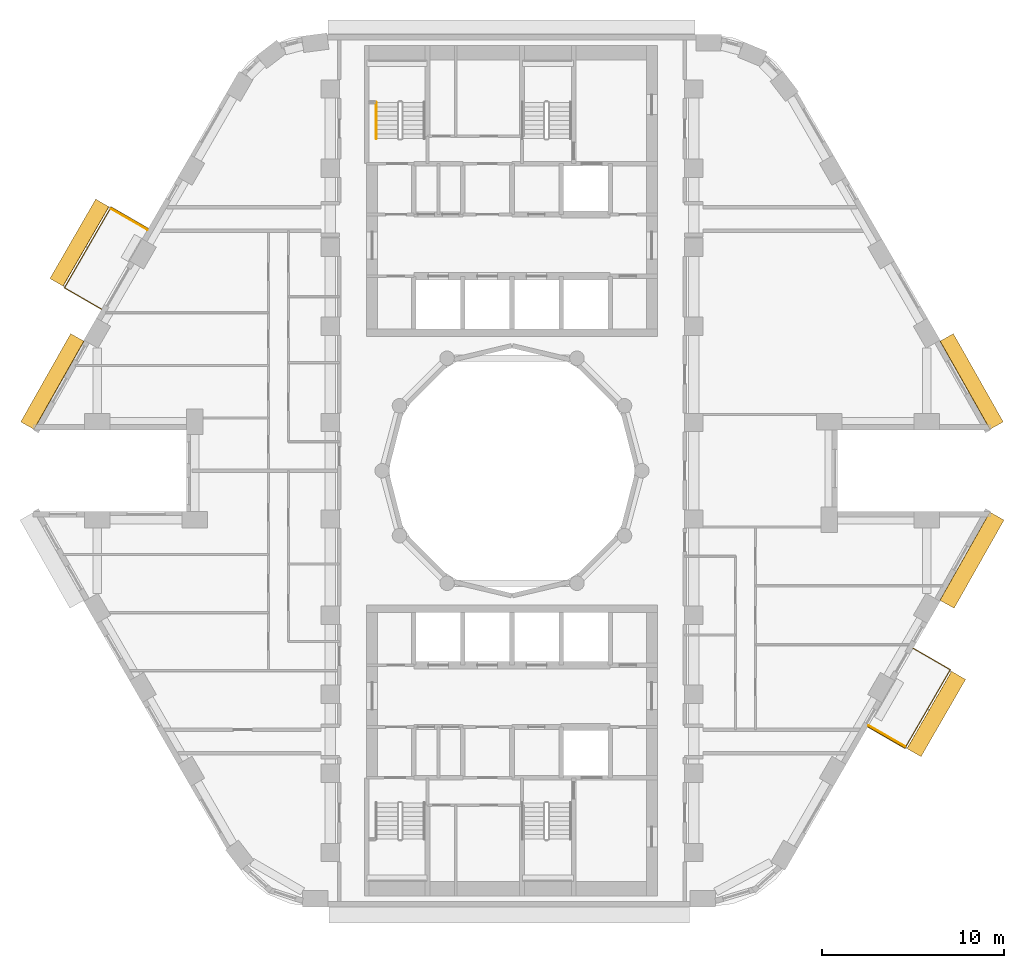
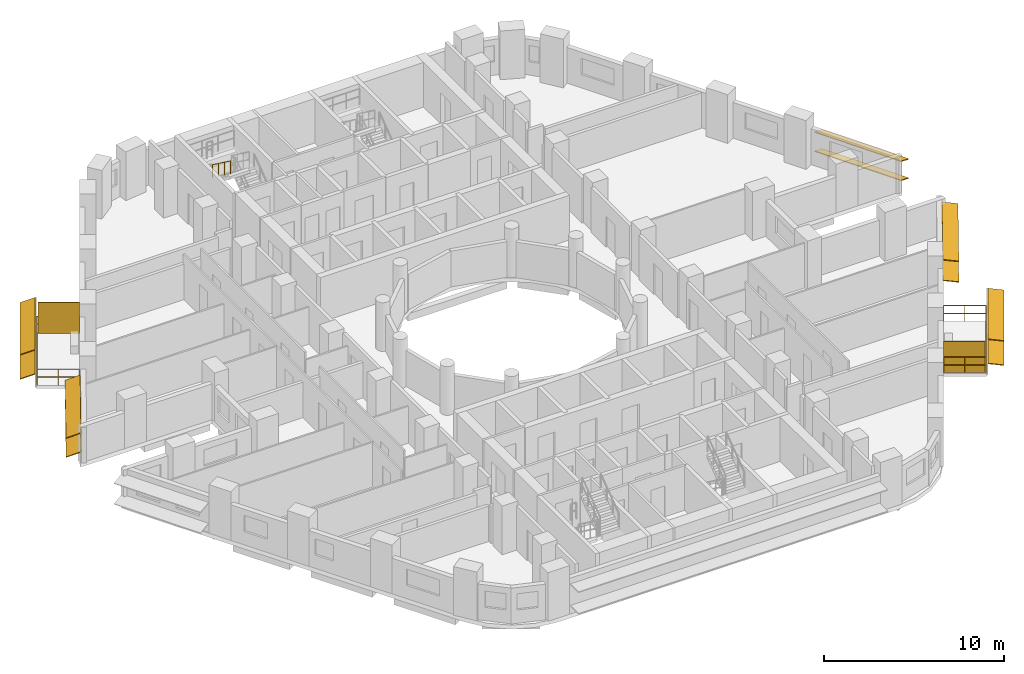
# One storey, part 13 of 14: 12 shading devices, 3 railings.
"""IFC4 building model written with IfcOpenShell, lengths in metres."""

from ifc_helpers import new_model, si_unit, direction, frame, origin, origin_2d, place, context, subcontext, project, spatial, rectangle, circle, extrude, material, layer, layer_set, material_profile, profile_set, type_object, element, save


model = new_model("IFC4")

# Units and contexts
model_context = context("Model", 3, precision=1e-05, world=origin(), true_north=direction((0.0, 1.0)))
body_context = subcontext(model_context, "Body", "Model", "MODEL_VIEW")
ifc_project = project(units=[si_unit("LENGTHUNIT", "METRE"), si_unit("AREAUNIT", "SQUARE_METRE"), si_unit("VOLUMEUNIT", "CUBIC_METRE"), si_unit("PLANEANGLEUNIT", "RADIAN"), si_unit("MASSUNIT", "GRAM", prefix="KILO")], contexts=[model_context])

# Site, building, storey
site_placement = place(None, origin())
site = spatial("IfcSite", under=ifc_project, at=site_placement, CompositionType="ELEMENT")
building_placement = place(site_placement, origin())
building = spatial("IfcBuilding", under=site, at=building_placement, Name="Nakaniwa Court", CompositionType="ELEMENT")
storey_placement = place(building_placement, frame((0.0, 0.0, 107.39990234375)))
storey = spatial("IfcBuildingStorey", under=building, at=storey_placement, Name="L28", CompositionType="ELEMENT", Elevation=107.39990234375)

# Railings
ifc_material_1 = material(Name="Black powder-coated steel flat bar balustrade S275", Category="steel")
railing_type_1 = type_object("IfcRailingType", Name="Black metal balcony guard 1100", PredefinedType="GUARDRAIL", material=ifc_material_1)
railing_1_placement = place(storey_placement, frame((59.98046875, 93.325439453125, -0.0498046875)))
element("IfcRailing", 1, at=railing_1_placement, inside=storey, type_object=railing_type_1, Name="L28 balcony guard 01", PredefinedType="GUARDRAIL", context=body_context, shape_type="SweptSolid", body=[
    extrude(circle(Radius=0.02392578125, at=origin_2d()), frame((0.0, 0.0, 1.076171875), z_axis=(-0.866025363618, 0.50000006957, 0.0), x_axis=(-0.50000006957, -0.866025363618, 0.0)), (0.0, 0.0, 1.0), 2.35986328125),
    extrude(circle(Radius=0.02392578125, at=origin_2d()), frame((0.0, 0.0, 0.550048828125), z_axis=(-0.866025363618, 0.50000006957, 0.0), x_axis=(-0.50000006957, -0.866025363618, 0.0)), (0.0, 0.0, 1.0), 2.35986328125),
    extrude(circle(Radius=0.02392578125, at=origin_2d()), frame((-2.043701171875, 1.179931640625, 1.076171875), z_axis=(-0.499997384719, -0.866026913713, 0.0), x_axis=(0.866026913713, -0.499997384719, 0.0)), (0.0, 0.0, 1.0), 5.12451171875),
    extrude(circle(Radius=0.02392578125, at=origin_2d()), frame((-2.043701171875, 1.179931640625, 0.550048828125), z_axis=(-0.499997384719, -0.866026913713, 0.0), x_axis=(0.866026913713, -0.499997384719, 0.0)), (0.0, 0.0, 1.0), 5.12451171875),
    extrude(circle(Radius=0.02392578125, at=origin_2d()), frame((-4.60595703125, -3.258056640625, 1.076171875), z_axis=(0.865980564943, -0.500077655111, 0.0), x_axis=(0.500077655111, 0.865980564943, 0.0)), (0.0, 0.0, 1.0), 2.35986328125),
    extrude(circle(Radius=0.02392578125, at=origin_2d()), frame((-4.60595703125, -3.258056640625, 0.550048828125), z_axis=(0.865980564943, -0.500077655111, 0.0), x_axis=(0.500077655111, 0.865980564943, 0.0)), (0.0, 0.0, 1.0), 2.35986328125),
    extrude(circle(Radius=0.02099609375, at=origin_2d()), origin(), (0.0, 0.0, 1.0), 1.052001953125),
    extrude(circle(Radius=0.02099609375, at=origin_2d()), frame((-1.02197265625, 0.58984375, 0.0)), (0.0, 0.0, 1.0), 1.052001953125),
    extrude(circle(Radius=0.02099609375, at=origin_2d()), frame((-2.043701171875, 1.179931640625, 0.0)), (0.0, 0.0, 1.0), 1.052001953125),
    extrude(circle(Radius=0.02099609375, at=origin_2d()), frame((-2.55615234375, 0.292236328125, 0.0)), (0.0, 0.0, 1.0), 1.052001953125),
    extrude(circle(Radius=0.02099609375, at=origin_2d()), frame((-3.068603515625, -0.59521484375, 0.0)), (0.0, 0.0, 1.0), 1.052001953125),
    extrude(circle(Radius=0.02099609375, at=origin_2d()), frame((-3.5810546875, -1.48291015625, 0.0)), (0.0, 0.0, 1.0), 1.052001953125),
    extrude(circle(Radius=0.02099609375, at=origin_2d()), frame((-4.093505859375, -2.370361328125, 0.0)), (0.0, 0.0, 1.0), 1.052001953125),
    extrude(circle(Radius=0.02099609375, at=origin_2d()), frame((-4.60595703125, -3.258056640625, 0.0)), (0.0, 0.0, 1.0), 1.052001953125),
    extrude(circle(Radius=0.02099609375, at=origin_2d()), frame((-3.583984375, -3.84814453125, 0.0)), (0.0, 0.0, 1.0), 1.052001953125),
    extrude(circle(Radius=0.02099609375, at=origin_2d()), frame((-2.562255859375, -4.438232421875, 0.0)), (0.0, 0.0, 1.0), 1.052001953125),
])
railing_2_placement = place(storey_placement, frame((99.578369140625, 65.910400390625, -0.0498046875)))
element("IfcRailing", 2, at=railing_2_placement, inside=storey, type_object=railing_type_1, Name="L28 balcony guard 02", PredefinedType="GUARDRAIL", context=body_context, shape_type="SweptSolid", body=[
    extrude(circle(Radius=0.02392578125, at=origin_2d()), frame((0.0, 0.0, 1.076171875), z_axis=(0.865980564943, -0.500077655111, 0.0), x_axis=(0.500077655111, 0.865980564943, 0.0)), (0.0, 0.0, 1.0), 2.35986328125),
    extrude(circle(Radius=0.02392578125, at=origin_2d()), frame((0.0, 0.0, 0.550048828125), z_axis=(0.865980564943, -0.500077655111, 0.0), x_axis=(0.500077655111, 0.865980564943, 0.0)), (0.0, 0.0, 1.0), 2.35986328125),
    extrude(circle(Radius=0.02392578125, at=origin_2d()), frame((2.043701171875, -1.18017578125, 1.076171875), z_axis=(0.499944127216, 0.866057659548, 0.0), x_axis=(-0.866057659548, 0.499944127216, 0.0)), (0.0, 0.0, 1.0), 4.9892578125),
    extrude(circle(Radius=0.02392578125, at=origin_2d()), frame((2.043701171875, -1.18017578125, 0.550048828125), z_axis=(0.499944127216, 0.866057659548, 0.0), x_axis=(-0.866057659548, 0.499944127216, 0.0)), (0.0, 0.0, 1.0), 4.9892578125),
    extrude(circle(Radius=0.02392578125, at=origin_2d()), frame((4.5380859375, 3.140869140625, 1.076171875), z_axis=(-0.866025363618, 0.50000006957, 0.0), x_axis=(-0.50000006957, -0.866025363618, 0.0)), (0.0, 0.0, 1.0), 2.35986328125),
    extrude(circle(Radius=0.02392578125, at=origin_2d()), frame((4.5380859375, 3.140869140625, 0.550048828125), z_axis=(-0.866025363618, 0.50000006957, 0.0), x_axis=(-0.50000006957, -0.866025363618, 0.0)), (0.0, 0.0, 1.0), 2.35986328125),
    extrude(circle(Radius=0.02099609375, at=origin_2d()), origin(), (0.0, 0.0, 1.0), 1.052001953125),
    extrude(circle(Radius=0.02099609375, at=origin_2d()), frame((1.02197265625, -0.590087890625, 0.0)), (0.0, 0.0, 1.0), 1.052001953125),
    extrude(circle(Radius=0.02099609375, at=origin_2d()), frame((2.043701171875, -1.18017578125, 0.0)), (0.0, 0.0, 1.0), 1.052001953125),
    extrude(circle(Radius=0.02099609375, at=origin_2d()), frame((2.54248046875, -0.31591796875, 0.0)), (0.0, 0.0, 1.0), 1.052001953125),
    extrude(circle(Radius=0.02099609375, at=origin_2d()), frame((3.04150390625, 0.54833984375, 0.0)), (0.0, 0.0, 1.0), 1.052001953125),
    extrude(circle(Radius=0.02099609375, at=origin_2d()), frame((3.540283203125, 1.412353515625, 0.0)), (0.0, 0.0, 1.0), 1.052001953125),
    extrude(circle(Radius=0.02099609375, at=origin_2d()), frame((4.039306640625, 2.276611328125, 0.0)), (0.0, 0.0, 1.0), 1.052001953125),
    extrude(circle(Radius=0.02099609375, at=origin_2d()), frame((4.5380859375, 3.140869140625, 0.0)), (0.0, 0.0, 1.0), 1.052001953125),
    extrude(circle(Radius=0.02099609375, at=origin_2d()), frame((3.51611328125, 3.73095703125, 0.0)), (0.0, 0.0, 1.0), 1.052001953125),
    extrude(circle(Radius=0.02099609375, at=origin_2d()), frame((2.494384765625, 4.32080078125, 0.0)), (0.0, 0.0, 1.0), 1.052001953125),
])

# Shading devices
ifc_material_2 = material(Name="Black powder-coated aluminium slat screen", Category="aluminium")
ifc_layer = layer(ifc_material_2, 0.0400390625)
ifc_layer_set = layer_set([ifc_layer], Name="Black powder-coated aluminium slat screen")
shading_device_type_1 = type_object("IfcShadingDeviceType", Name="Koshi screen black metal", PredefinedType="USERDEFINED", material=ifc_layer_set)
for number, where, z_axis, x_axis, name in (
    (3, (58.940185546875, 93.83349609375, -0.050048828125), (0.0, 0.0, 1.0), (-0.499974304289, -0.866040238702, 0.0), "L28 balcony SCREEN 01 W"),
    (4, (100.618408203125, 65.402099609375, -0.050048828125), (0.0, 0.0, 1.0), (0.499974304289, 0.866040238702, 0.0), "L28 balcony SCREEN 02 W"),
):
    element("IfcShadingDevice", number, at=place(storey_placement, frame(where, z_axis=z_axis, x_axis=x_axis)), inside=storey, type_object=shading_device_type_1, Name=name, ObjectType="KOSHI SCREEN", PredefinedType="USERDEFINED", context=body_context, shape_type="SweptSolid", body=[
        extrude(rectangle(XDim=0.0400390625, YDim=2.31005859375, at=origin_2d()), origin(), (0.0, 0.0, 1.0), 2.10009765625),
    ])
ifc_material_3 = material(Name="Perforated charcoal ceramic louvre blade")
ifc_material_profile = material_profile(ifc_material_3, rectangle(XDim=0.89990234375, YDim=0.050048828125, at=origin_2d()), Name="Perforated ceramic louvre blade")
ifc_profile_set = profile_set([ifc_material_profile], Name="Perforated charcoal ceramic louvre blade")
shading_device_type_2 = type_object("IfcShadingDeviceType", Name="Perforated ceramic louvre blade", PredefinedType="JALOUSIE", material=ifc_profile_set)
for number, where, z_axis, x_axis, name in (
    (5, (57.4619140625, 94.7333984375, 0.5), (-0.499975206699, -0.86603971773, 0.0), (0.800116369553, -0.461916860232, 0.382683432365), "L28 perforated ceramic louvre blade 01 1"),
    (6, (57.4619140625, 94.7333984375, 2.150146484375), (-0.499975206699, -0.86603971773, 0.0), (0.800116369553, -0.461916860232, 0.382683432365), "L28 perforated ceramic louvre blade 01 2"),
):
    element("IfcShadingDevice", number, at=place(storey_placement, frame(where, z_axis=z_axis, x_axis=x_axis)), inside=storey, type_object=shading_device_type_2, Name=name, PredefinedType="JALOUSIE", context=body_context, shape_type="SweptSolid", body=[
        extrude(rectangle(XDim=0.89990234375, YDim=0.050048828125, at=origin_2d()), origin(), (0.0, 0.0, 1.0), 5.044677734375),
    ])
for number, where, z_axis, x_axis, name in (
    (7, (102.117919921875, 64.490234375, 0.5), (0.49996353595, 0.86604645529, 0.0), (-0.858637307808, 0.495686278592, 0.13052619222), "L28 perforated ceramic louvre blade 02 1"),
    (8, (102.117919921875, 64.490234375, 2.150146484375), (0.49996353595, 0.86604645529, 0.0), (-0.858637307808, 0.495686278592, 0.13052619222), "L28 perforated ceramic louvre blade 02 2"),
):
    element("IfcShadingDevice", number, at=place(storey_placement, frame(where, z_axis=z_axis, x_axis=x_axis)), inside=storey, type_object=shading_device_type_2, Name=name, PredefinedType="JALOUSIE", context=body_context, shape_type="SweptSolid", body=[
        extrude(rectangle(XDim=0.89990234375, YDim=0.050048828125, at=origin_2d()), origin(), (0.0, 0.0, 1.0), 4.908935546875),
    ])
for number, where, z_axis, x_axis, name in (
    (9, (106.662353515625, 82.480224609375, 0.550048828125), (-0.492438058427, 0.870347493024, 0.0), (-0.804676322539, -0.455281653718, 0.38107037635), "L28 perforated ceramic louvre blade w02 1"),
    (10, (106.662353515625, 82.480224609375, 1.845458984375), (-0.492438058427, 0.870347493024, 0.0), (-0.804676322539, -0.455281653718, 0.38107037635), "L28 perforated ceramic louvre blade w02 2"),
    (11, (56.083740234375, 87.333740234375, 0.550048828125), (-0.492438058427, -0.870347493024, 0.0), (0.804676322539, -0.455281653718, 0.38107037635), "L28 perforated ceramic louvre blade w14 1"),
    (12, (56.083740234375, 87.333740234375, 1.845458984375), (-0.492438058427, -0.870347493024, 0.0), (0.804676322539, -0.455281653718, 0.38107037635), "L28 perforated ceramic louvre blade w14 2"),
    (13, (103.93701171875, 72.654541015625, 0.550048828125), (0.492438058427, 0.870347493024, 0.0), (-0.862701960504, 0.488112256124, 0.132256390257), "L28 perforated ceramic louvre blade w32 1"),
    (14, (103.93701171875, 72.654541015625, 1.955810546875), (0.492438058427, 0.870347493024, 0.0), (-0.862701960504, 0.488112256124, 0.132256390257), "L28 perforated ceramic louvre blade w32 2"),
):
    element("IfcShadingDevice", number, at=place(storey_placement, frame(where, z_axis=z_axis, x_axis=x_axis)), inside=storey, type_object=shading_device_type_2, Name=name, PredefinedType="JALOUSIE", context=body_context, shape_type="SweptSolid", body=[
        extrude(rectangle(XDim=0.89990234375, YDim=0.050048828125, at=origin_2d()), origin(), (0.0, 0.0, 1.0), 5.576416015625),
    ])

# Railing
ifc_material_4 = material(Name="Black powder coated steel handrail", Category="steel")
railing_type_2 = type_object("IfcRailingType", Name="Stair handrail 900", PredefinedType="HANDRAIL", material=ifc_material_4)
railing_3_placement = place(storey_placement, frame((72.52490234375, 100.27490234375, 1.83349609375)))
element("IfcRailing", 15, at=railing_3_placement, inside=storey, type_object=railing_type_2, Name="L28 ST1 stair handrail 2", PredefinedType="HANDRAIL", context=body_context, shape_type="SweptSolid", body=[
    extrude(circle(Radius=0.02392578125, at=origin_2d()), frame((0.0, 0.0, 0.8759765625), z_axis=(0.0, -0.806426902644, 0.591333789573), x_axis=(1.0, 0.0, 0.0)), (0.0, 0.0, 1.0), 2.47998046875),
    extrude(circle(Radius=0.02099609375, at=origin_2d()), origin(), (0.0, 0.0, 1.0), 0.851806640625),
    extrude(circle(Radius=0.02099609375, at=origin_2d()), frame((0.0, -0.666748046875, 0.48876953125)), (0.0, 0.0, 1.0), 0.851806640625),
    extrude(circle(Radius=0.02099609375, at=origin_2d()), frame((0.0, -1.333251953125, 0.977783203125)), (0.0, 0.0, 1.0), 0.851806640625),
    extrude(circle(Radius=0.02099609375, at=origin_2d()), frame((0.0, -2.0, 1.466552734375)), (0.0, 0.0, 1.0), 0.851806640625),
])

save(model, "model.ifc")
